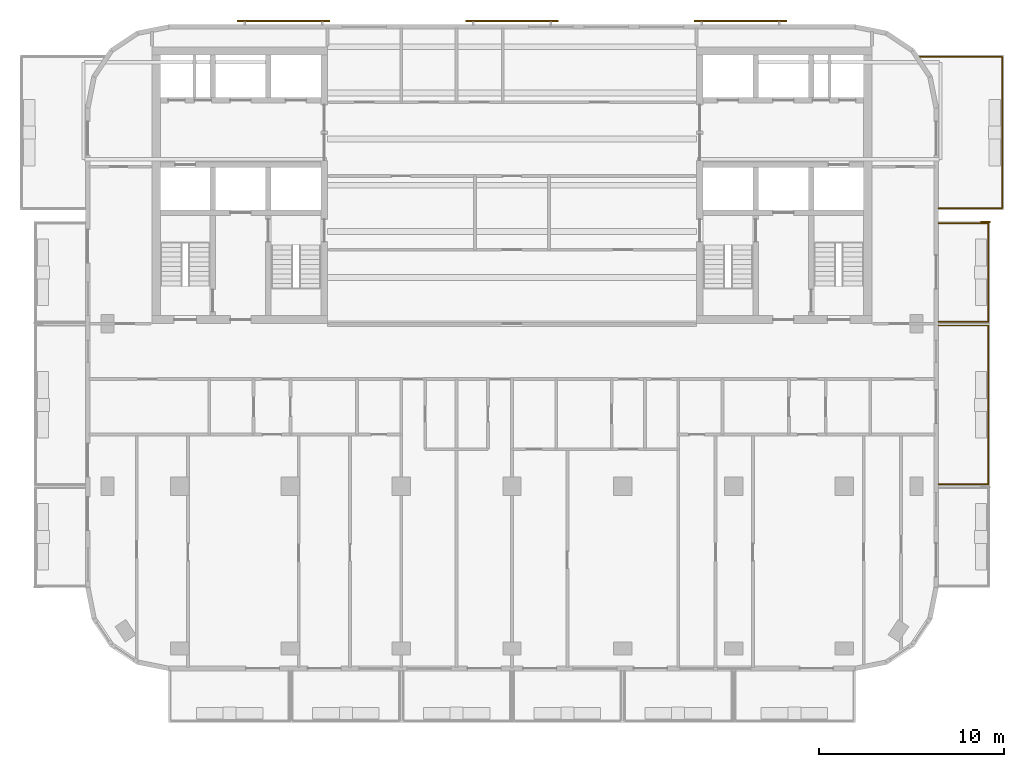
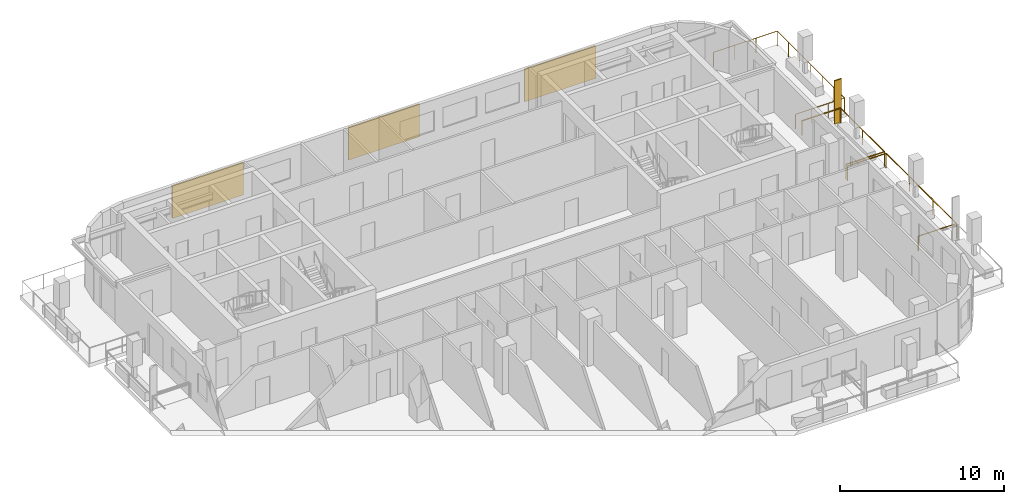
# One storey, part 10 of 11: 4 shading devices, 3 railings.
"""IFC4 building model written with IfcOpenShell, lengths in metres."""

from ifc_helpers import new_model, si_unit, direction, frame, origin, origin_2d, place, context, subcontext, project, spatial, rectangle, circle, extrude, material, layer, layer_set, type_object, element, save


model = new_model("IFC4")

# Units and contexts
model_context = context("Model", 3, precision=1e-05, world=origin(), true_north=direction((0.0, 1.0)))
body_context = subcontext(model_context, "Body", "Model", "MODEL_VIEW")
ifc_project = project(units=[si_unit("LENGTHUNIT", "METRE"), si_unit("AREAUNIT", "SQUARE_METRE"), si_unit("VOLUMEUNIT", "CUBIC_METRE"), si_unit("PLANEANGLEUNIT", "RADIAN"), si_unit("MASSUNIT", "GRAM", prefix="KILO")], contexts=[model_context])

# Site, building, storey
site_placement = place(None, origin())
site = spatial("IfcSite", under=ifc_project, at=site_placement, CompositionType="ELEMENT")
building_placement = place(site_placement, origin())
building = spatial("IfcBuilding", under=site, at=building_placement, Name="Torana Hotel and Residences", CompositionType="ELEMENT")
storey_placement = place(building_placement, frame((0.0, 0.0, 294.60009765625)))
storey = spatial("IfcBuildingStorey", under=building, at=storey_placement, Name="L78", CompositionType="ELEMENT", Elevation=294.60009765625)

# Shading device
ifc_material_1 = material(Name="Black powder coated aluminium", Category="aluminium")
ifc_layer_1 = layer(ifc_material_1, 0.080078125)
ifc_layer_set_1 = layer_set([ifc_layer_1], Name="FN1 VERTICAL FIN 500x80")
shading_device_type_1 = type_object("IfcShadingDeviceType", Name="FN1 VERTICAL FIN 500x80", PredefinedType="USERDEFINED", material=ifc_layer_set_1)
shading_device_placement = place(storey_placement, frame((25.64990234375, -9.489990234375, 0.0), z_axis=(0.0, 0.0, 1.0), x_axis=(0.0, -1.0, 0.0)))
element("IfcShadingDevice", 1, at=shading_device_placement, inside=storey, type_object=shading_device_type_1, Name="Fin 13", ObjectType="FIN", PredefinedType="USERDEFINED", context=body_context, shape_type="SweptSolid", body=[
    extrude(rectangle(XDim=0.080078125, YDim=0.5, at=origin_2d()), origin(), (0.0, 0.0, 1.0), 3.219970703125),
])

# Railings
ifc_material_2 = material(Name="Laminated glass balustrade with black handrail", Category="glass")
railing_type = type_object("IfcRailingType", Name="GR1 BALCONY GUARD 1100 GLASS", PredefinedType="GUARDRAIL", material=ifc_material_2)
railing_1_placement = place(storey_placement, frame((23.10009765625, -15.10009765625, 0.0)))
element("IfcRailing", 2, at=railing_1_placement, inside=storey, type_object=railing_type, Name="Balcony guard 12", PredefinedType="GUARDRAIL", context=body_context, shape_type="SweptSolid", body=[
    extrude(circle(Radius=0.02392578125, at=origin_2d()), frame((0.0, 0.0, 1.076171875), z_axis=(1.0, 0.0, 0.0), x_axis=(0.0, 1.0, 0.0)), (0.0, 0.0, 1.0), 2.699951171875),
    extrude(circle(Radius=0.02392578125, at=origin_2d()), frame((2.699951171875, 0.0, 1.076171875), z_axis=(0.0, -1.0, 0.0), x_axis=(1.0, 0.0, 0.0)), (0.0, 0.0, 1.0), 8.599853515625),
    extrude(circle(Radius=0.02392578125, at=origin_2d()), frame((2.699951171875, -8.599853515625, 1.076171875), z_axis=(-1.0, 0.0, 0.0), x_axis=(0.0, -1.0, 0.0)), (0.0, 0.0, 1.0), 2.699951171875),
    extrude(circle(Radius=0.02099609375, at=origin_2d()), origin(), (0.0, 0.0, 1.0), 1.052001953125),
    extrude(circle(Radius=0.02099609375, at=origin_2d()), frame((2.699951171875, 0.0, 0.0)), (0.0, 0.0, 1.0), 1.052001953125),
    extrude(circle(Radius=0.02099609375, at=origin_2d()), frame((2.699951171875, -2.86669921875, 0.0)), (0.0, 0.0, 1.0), 1.052001953125),
    extrude(circle(Radius=0.02099609375, at=origin_2d()), frame((2.699951171875, -5.733154296875, 0.0)), (0.0, 0.0, 1.0), 1.052001953125),
    extrude(circle(Radius=0.02099609375, at=origin_2d()), frame((2.699951171875, -8.599853515625, 0.0)), (0.0, 0.0, 1.0), 1.052001953125),
    extrude(circle(Radius=0.02099609375, at=origin_2d()), frame((0.0, -8.599853515625, 0.0)), (0.0, 0.0, 1.0), 1.052001953125),
])
railing_2_placement = place(storey_placement, frame((23.10009765625, -9.550048828125, 0.0)))
element("IfcRailing", 3, at=railing_2_placement, inside=storey, type_object=railing_type, Name="Balcony guard 13", PredefinedType="GUARDRAIL", context=body_context, shape_type="SweptSolid", body=[
    extrude(circle(Radius=0.02392578125, at=origin_2d()), frame((0.0, 0.0, 1.076171875), z_axis=(1.0, 0.0, 0.0), x_axis=(0.0, 1.0, 0.0)), (0.0, 0.0, 1.0), 2.699951171875),
    extrude(circle(Radius=0.02392578125, at=origin_2d()), frame((2.699951171875, 0.0, 1.076171875), z_axis=(0.0, -1.0, 0.0), x_axis=(1.0, 0.0, 0.0)), (0.0, 0.0, 1.0), 5.349853515625),
    extrude(circle(Radius=0.02392578125, at=origin_2d()), frame((2.699951171875, -5.349853515625, 1.076171875), z_axis=(-1.0, 0.0, 0.0), x_axis=(0.0, -1.0, 0.0)), (0.0, 0.0, 1.0), 2.699951171875),
    extrude(circle(Radius=0.02099609375, at=origin_2d()), origin(), (0.0, 0.0, 1.0), 1.052001953125),
    extrude(circle(Radius=0.02099609375, at=origin_2d()), frame((2.699951171875, 0.0, 0.0)), (0.0, 0.0, 1.0), 1.052001953125),
    extrude(circle(Radius=0.02099609375, at=origin_2d()), frame((2.699951171875, -2.6748046875, 0.0)), (0.0, 0.0, 1.0), 1.052001953125),
    extrude(circle(Radius=0.02099609375, at=origin_2d()), frame((2.699951171875, -5.349853515625, 0.0)), (0.0, 0.0, 1.0), 1.052001953125),
    extrude(circle(Radius=0.02099609375, at=origin_2d()), frame((0.0, -5.349853515625, 0.0)), (0.0, 0.0, 1.0), 1.052001953125),
])
railing_3_placement = place(storey_placement, frame((22.07080078125, -0.550048828125, 0.0)))
element("IfcRailing", 4, at=railing_3_placement, inside=storey, type_object=railing_type, Name="Balcony guard 14", PredefinedType="GUARDRAIL", context=body_context, shape_type="SweptSolid", body=[
    extrude(circle(Radius=0.02392578125, at=origin_2d()), frame((0.0, 0.0, 1.076171875), z_axis=(1.0, 0.0, 0.0), x_axis=(0.0, 1.0, 0.0)), (0.0, 0.0, 1.0), 4.479248046875),
    extrude(circle(Radius=0.02392578125, at=origin_2d()), frame((4.479248046875, 0.0, 1.076171875), z_axis=(0.0, -1.0, 0.0), x_axis=(1.0, 0.0, 0.0)), (0.0, 0.0, 1.0), 8.199951171875),
    extrude(circle(Radius=0.02392578125, at=origin_2d()), frame((4.479248046875, -8.199951171875, 1.076171875), z_axis=(-1.0, 0.0, 0.0), x_axis=(0.0, -1.0, 0.0)), (0.0, 0.0, 1.0), 3.449951171875),
    extrude(circle(Radius=0.02099609375, at=origin_2d()), origin(), (0.0, 0.0, 1.0), 1.052001953125),
    extrude(circle(Radius=0.02099609375, at=origin_2d()), frame((1.4931640625, 0.0, 0.0)), (0.0, 0.0, 1.0), 1.052001953125),
    extrude(circle(Radius=0.02099609375, at=origin_2d()), frame((2.986083984375, 0.0, 0.0)), (0.0, 0.0, 1.0), 1.052001953125),
    extrude(circle(Radius=0.02099609375, at=origin_2d()), frame((4.479248046875, 0.0, 0.0)), (0.0, 0.0, 1.0), 1.052001953125),
    extrude(circle(Radius=0.02099609375, at=origin_2d()), frame((4.479248046875, -1.36669921875, 0.0)), (0.0, 0.0, 1.0), 1.052001953125),
    extrude(circle(Radius=0.02099609375, at=origin_2d()), frame((4.479248046875, -2.7333984375, 0.0)), (0.0, 0.0, 1.0), 1.052001953125),
    extrude(circle(Radius=0.02099609375, at=origin_2d()), frame((4.479248046875, -4.10009765625, 0.0)), (0.0, 0.0, 1.0), 1.052001953125),
    extrude(circle(Radius=0.02099609375, at=origin_2d()), frame((4.479248046875, -5.466552734375, 0.0)), (0.0, 0.0, 1.0), 1.052001953125),
    extrude(circle(Radius=0.02099609375, at=origin_2d()), frame((4.479248046875, -6.833251953125, 0.0)), (0.0, 0.0, 1.0), 1.052001953125),
    extrude(circle(Radius=0.02099609375, at=origin_2d()), frame((4.479248046875, -8.199951171875, 0.0)), (0.0, 0.0, 1.0), 1.052001953125),
    extrude(circle(Radius=0.02099609375, at=origin_2d()), frame((3.329345703125, -8.199951171875, 0.0)), (0.0, 0.0, 1.0), 1.052001953125),
    extrude(circle(Radius=0.02099609375, at=origin_2d()), frame((2.17919921875, -8.199951171875, 0.0)), (0.0, 0.0, 1.0), 1.052001953125),
    extrude(circle(Radius=0.02099609375, at=origin_2d()), frame((1.029296875, -8.199951171875, 0.0)), (0.0, 0.0, 1.0), 1.052001953125),
])

# Shading devices
ifc_material_3 = material(Name="Concrete C40/50 precast", Category="concrete")
ifc_layer_2 = layer(ifc_material_3, 0.10009765625)
ifc_layer_set_2 = layer_set([ifc_layer_2], Name="SC1 PERFORATED BLOCK SCREEN PANEL 100")
shading_device_type_2 = type_object("IfcShadingDeviceType", Name="SC1 PERFORATED BLOCK SCREEN PANEL 100", PredefinedType="USERDEFINED", material=ifc_layer_set_2)
for number, where, z_axis, x_axis, name in (
    (5, (12.383544921875, 1.39990234375, 0.5), (0.0, 0.0, 1.0), (-1.0, 0.0, 0.0), "Perforated block screen L78"),
    (6, (0.0, 1.39990234375, 0.5), (0.0, 0.0, 1.0), (-1.0, 0.0, 0.0), "Perforated block screen L78"),
    (7, (-12.383544921875, 1.39990234375, 0.5), (0.0, 0.0, 1.0), (-1.0, 0.0, 0.0), "Perforated block screen L78"),
):
    element("IfcShadingDevice", number, at=place(storey_placement, frame(where, z_axis=z_axis, x_axis=x_axis)), inside=storey, type_object=shading_device_type_2, Name=name, ObjectType="SCREEN", PredefinedType="USERDEFINED", context=body_context, shape_type="SweptSolid", body=[
        extrude(rectangle(XDim=5.0, YDim=0.10009765625, at=origin_2d()), origin(), (0.0, 0.0, 1.0), 2.419921875),
    ])

save(model, "model.ifc")
